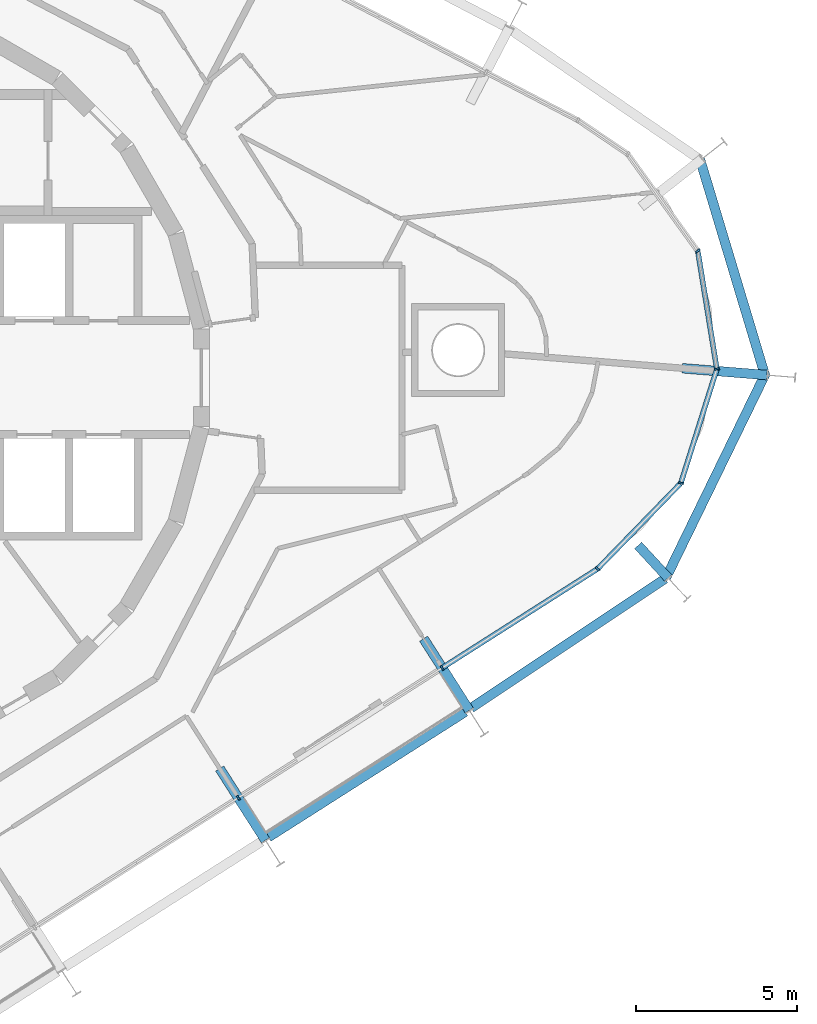
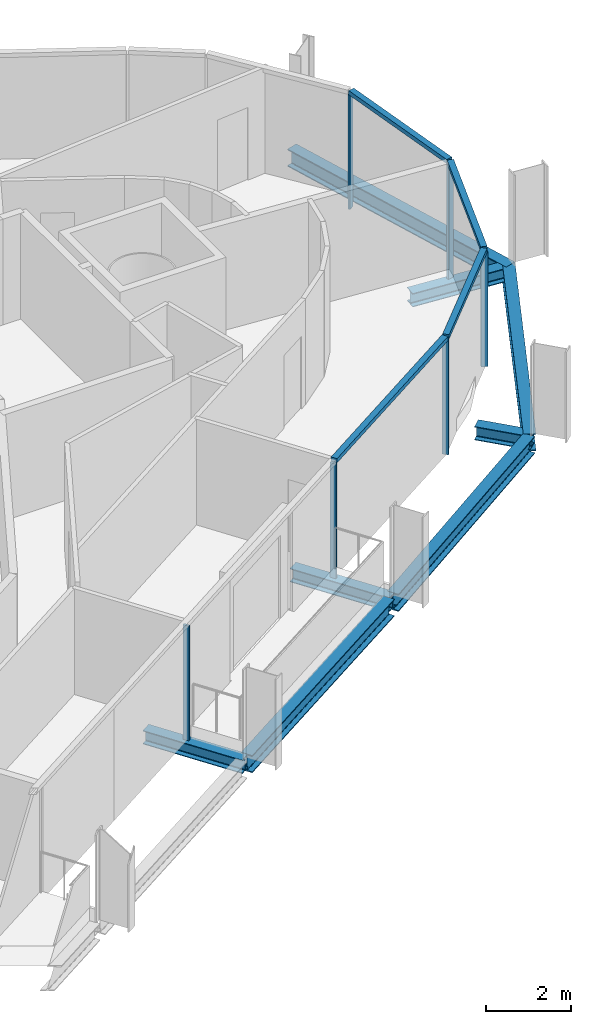
# One storey, part 5 of 18: 10 members, 8 beams, 2 elements without a shape of their own.
"""IFC4 building model written with IfcOpenShell, lengths in metres."""

from ifc_helpers import new_model, si_unit, direction, frame, origin, origin_2d, place, context, subcontext, project, spatial, rectangle, i_section, extrude, material, layer, layer_set, material_profile, profile_set, type_object, element, aggregate, save


model = new_model("IFC4")

# Units and contexts
model_context = context("Model", 3, precision=1e-05, world=origin(), true_north=direction((0.0, 1.0)))
body_context = subcontext(model_context, "Body", "Model", "MODEL_VIEW")
ifc_project = project(units=[si_unit("LENGTHUNIT", "METRE"), si_unit("AREAUNIT", "SQUARE_METRE"), si_unit("VOLUMEUNIT", "CUBIC_METRE"), si_unit("PLANEANGLEUNIT", "RADIAN"), si_unit("MASSUNIT", "GRAM", prefix="KILO")], contexts=[model_context])

# Site, building, storey
site_placement = place(None, origin())
site = spatial("IfcSite", under=ifc_project, at=site_placement, CompositionType="ELEMENT")
building_placement = place(site_placement, origin())
building = spatial("IfcBuilding", under=site, at=building_placement, Name="Spindle Arch Residences", CompositionType="ELEMENT")
storey_placement = place(building_placement, frame((0.0, 0.0, 254.699951171875)))
storey = spatial("IfcBuildingStorey", under=building, at=storey_placement, Name="L65", CompositionType="ELEMENT", Elevation=254.699951171875)

# Curtain wall, members
ifc_material_1 = material(Name="Aluminium bronze unitised frame with tinted glass", Category="aluminium")
ifc_layer_1 = layer(ifc_material_1, 0.159912109375)
ifc_layer_set_1 = layer_set([ifc_layer_1], Name="CW-D corner wall on the fillet arcs")
curtain_wall_type_1 = type_object("IfcCurtainWallType", Name="CW-D corner wall on the fillet arcs", PredefinedType="NOTDEFINED", material=ifc_layer_set_1)
curtain_wall_1_placement = place(storey_placement, origin())
curtain_wall_1 = element("IfcCurtainWall", 1, at=curtain_wall_1_placement, inside=storey, type_object=curtain_wall_type_1, Name="CW-D L65 run 1", PredefinedType="NOTDEFINED")
ifc_material_2 = material(Name="Aluminium bronze anodised mullion", Category="aluminium")
ifc_material_profile_1 = material_profile(ifc_material_2, rectangle(XDim=0.159912109375, YDim=0.06005859375, at=origin_2d()), Name="MU 60x160")
ifc_profile_set_1 = profile_set([ifc_material_profile_1], Name="Aluminium bronze anodised mullion")
member_type_1 = type_object("IfcMemberType", Name="Bronze mullion 60x160", PredefinedType="MULLION", material=ifc_profile_set_1)
member_1_placement = place(storey_placement, frame((19.151611328125, -9.0400390625, -0.3798828125), z_axis=(0.0, 0.0, 1.0), x_axis=(-0.537299608347, 0.843391445813, 0.0)))
member_1 = element("IfcMember", 2, at=member_1_placement, type_object=member_type_1, Name="CW-D mullion 00", PredefinedType="MULLION", context=body_context, shape_type="SweptSolid", body=[
    extrude(rectangle(XDim=0.159912109375, YDim=0.06005859375, at=origin_2d()), origin(), (0.0, 0.0, 1.0), 3.309814453125),
])
member_2_placement = place(storey_placement, frame((23.991455078125, -5.956787109375, -0.3798828125), z_axis=(0.0, 0.0, 1.0), x_axis=(-0.71731607908, 0.696747904692, 0.0)))
member_2 = element("IfcMember", 3, at=member_2_placement, type_object=member_type_1, Name="CW-D mullion 01", PredefinedType="MULLION", context=body_context, shape_type="SweptSolid", body=[
    extrude(rectangle(XDim=0.159912109375, YDim=0.06005859375, at=origin_2d()), origin(), (0.0, 0.0, 1.0), 3.309814453125),
])
member_3_placement = place(storey_placement, frame((26.587890625, -3.283447265625, -0.3798828125), z_axis=(0.0, 0.0, 1.0), x_axis=(-0.953716949352, 0.300705803932, 0.0)))
member_3 = element("IfcMember", 4, at=member_3_placement, type_object=member_type_1, Name="CW-D mullion 02", PredefinedType="MULLION", context=body_context, shape_type="SweptSolid", body=[
    extrude(rectangle(XDim=0.159912109375, YDim=0.06005859375, at=origin_2d()), origin(), (0.0, 0.0, 1.0), 3.309814453125),
])
member_4_placement = place(storey_placement, frame((27.708740234375, 0.270751953125, -0.3798828125), z_axis=(0.0, 0.0, 1.0), x_axis=(-0.987229114298, -0.15930686075, 0.0)))
member_4 = element("IfcMember", 5, at=member_4_placement, type_object=member_type_1, Name="CW-D mullion 03", PredefinedType="MULLION", context=body_context, shape_type="SweptSolid", body=[
    extrude(rectangle(XDim=0.159912109375, YDim=0.06005859375, at=origin_2d()), origin(), (0.0, 0.0, 1.0), 3.309814453125),
])
member_5_placement = place(storey_placement, frame((27.114990234375, 3.949951171875, -0.3798828125), z_axis=(0.0, 0.0, 1.0), x_axis=(-0.810723368962, -0.585429431289, 0.0)))
member_5 = element("IfcMember", 6, at=member_5_placement, type_object=member_type_1, Name="CW-D mullion 04", PredefinedType="MULLION", context=body_context, shape_type="SweptSolid", body=[
    extrude(rectangle(XDim=0.159912109375, YDim=0.06005859375, at=origin_2d()), origin(), (0.0, 0.0, 1.0), 3.309814453125),
])

# Curtain wall, member
ifc_material_3 = material(Name="Aluminium bronze unitised frame with tinted glass", Category="aluminium")
ifc_layer_2 = layer(ifc_material_3, 0.159912109375)
ifc_layer_set_2 = layer_set([ifc_layer_2], Name="CW-C typical residential unitised wall")
curtain_wall_type_2 = type_object("IfcCurtainWallType", Name="CW-C typical residential unitised wall", PredefinedType="NOTDEFINED", material=ifc_layer_set_2)
curtain_wall_2_placement = place(storey_placement, origin())
curtain_wall_2 = element("IfcCurtainWall", 7, at=curtain_wall_2_placement, inside=storey, type_object=curtain_wall_type_2, Name="CW-C L65 run 6", PredefinedType="NOTDEFINED")
member_6_placement = place(storey_placement, frame((12.80078125, -13.0859375, -0.3798828125), z_axis=(0.0, 0.0, 1.0), x_axis=(-0.537299608347, 0.843391445813, 0.0)))
member_6 = element("IfcMember", 8, at=member_6_placement, type_object=member_type_1, Name="CW-C mullion 00", PredefinedType="MULLION", context=body_context, shape_type="SweptSolid", body=[
    extrude(rectangle(XDim=0.159912109375, YDim=0.06005859375, at=origin_2d()), origin(), (0.0, 0.0, 1.0), 3.309814453125),
])
aggregate(curtain_wall_2, [member_6])

# Member
ifc_material_4 = material(Name="Aluminium bronze anodised transom", Category="aluminium")
ifc_material_profile_2 = material_profile(ifc_material_4, rectangle(XDim=0.159912109375, YDim=0.1201171875, at=origin_2d()), Name="TR 120x160")
ifc_profile_set_2 = profile_set([ifc_material_profile_2], Name="Aluminium bronze anodised transom")
member_type_2 = type_object("IfcMemberType", Name="Bronze transom 120x160", PredefinedType="USERDEFINED", material=ifc_profile_set_2)
member_7_placement = place(storey_placement, frame((19.177001953125, -9.02392578125, 2.989990234375), z_axis=(0.843386969226, 0.537306635115, 0.0), x_axis=(-0.537306635115, 0.843386969226, 0.0)))
member_7 = element("IfcMember", 9, at=member_7_placement, type_object=member_type_2, Name="CW-D transom 00", ObjectType="TRANSOM", PredefinedType="USERDEFINED", context=body_context, shape_type="SweptSolid", body=[
    extrude(rectangle(XDim=0.159912109375, YDim=0.1201171875, at=origin_2d()), origin(), (0.0, 0.0, 1.0), 5.678466796875),
])

member_8_placement = place(storey_placement, frame((24.01220703125, -5.93505859375, 2.989990234375), z_axis=(0.696778833098, 0.717286036213, 0.0), x_axis=(-0.717286036213, 0.696778833098, 0.0)))
member_8 = element("IfcMember", 10, at=member_8_placement, type_object=member_type_2, Name="CW-D transom 01", ObjectType="TRANSOM", PredefinedType="USERDEFINED", context=body_context, shape_type="SweptSolid", body=[
    extrude(rectangle(XDim=0.159912109375, YDim=0.1201171875, at=origin_2d()), origin(), (0.0, 0.0, 1.0), 3.666748046875),
])

member_9_placement = place(storey_placement, frame((26.596923828125, -3.2548828125, 2.989990234375), z_axis=(0.300745778047, 0.953704344641, 0.0), x_axis=(-0.953704344641, 0.300745778047, 0.0)))
member_9 = element("IfcMember", 11, at=member_9_placement, type_object=member_type_2, Name="CW-D transom 02", ObjectType="TRANSOM", PredefinedType="USERDEFINED", context=body_context, shape_type="SweptSolid", body=[
    extrude(rectangle(XDim=0.159912109375, YDim=0.1201171875, at=origin_2d()), origin(), (0.0, 0.0, 1.0), 3.666748046875),
])

member_10_placement = place(storey_placement, frame((27.703857421875, 0.300537109375, 2.989990234375), z_axis=(-0.15933292013, 0.987224908804, 0.0), x_axis=(-0.987224908804, -0.15933292013, 0.0)))
member_10 = element("IfcMember", 12, at=member_10_placement, type_object=member_type_2, Name="CW-D transom 03", ObjectType="TRANSOM", PredefinedType="USERDEFINED", context=body_context, shape_type="SweptSolid", body=[
    extrude(rectangle(XDim=0.159912109375, YDim=0.1201171875, at=origin_2d()), origin(), (0.0, 0.0, 1.0), 3.666748046875),
])

aggregate(curtain_wall_1, [member_1, member_7, member_2, member_8, member_3, member_9, member_4, member_10, member_5])

# Beams
ifc_material_5 = material(Name="Steel S460ML, intumescent coating R 120", Category="steel")
ifc_material_profile_3 = material_profile(ifc_material_5, i_section(OverallWidth=0.300048828125, OverallDepth=0.5, WebThickness=0.014404296875, FlangeThickness=0.028076171875, FilletRadius=0.027099609375, at=origin_2d()), Name="HEB 500")
ifc_profile_set_3 = profile_set([ifc_material_profile_3], Name="Steel S460ML, intumescent coating R 120")
beam_type_1 = type_object("IfcBeamType", Name="Exoskeleton edge beam HEB 500", PredefinedType="BEAM", material=ifc_profile_set_3)
beam_1_placement = place(storey_placement, frame((13.73779296875, -14.314697265625, -0.6298828125), z_axis=(0.843406961456, 0.53727525289, 0.0), x_axis=(-0.53727525289, 0.843406961456, 0.0)))
element("IfcBeam", 13, at=beam_1_placement, inside=storey, type_object=beam_type_1, Name="Exoskeleton edge beam 1", PredefinedType="BEAM", context=body_context, shape_type="SweptSolid", body=[
    extrude(i_section(OverallWidth=0.300048828125, OverallDepth=0.5, WebThickness=0.014404296875, FlangeThickness=0.028076171875, FilletRadius=0.027099609375, at=origin_2d()), origin(), (0.0, 0.0, 1.0), 7.27001953125),
])
beam_2_placement = place(storey_placement, frame((20.05224609375, -10.291015625, -0.6298828125), z_axis=(0.83190027786, 0.554925155041, 0.0), x_axis=(-0.554925155041, 0.83190027786, 0.0)))
element("IfcBeam", 14, at=beam_2_placement, inside=storey, type_object=beam_type_1, Name="Exoskeleton edge beam 2", PredefinedType="BEAM", context=body_context, shape_type="SweptSolid", body=[
    extrude(i_section(OverallWidth=0.300048828125, OverallDepth=0.5, WebThickness=0.014404296875, FlangeThickness=0.028076171875, FilletRadius=0.027099609375, at=origin_2d()), origin(), (0.0, 0.0, 1.0), 7.26220703125),
])
for number, where, z_axis, x_axis, name in (
    (15, (26.1201171875, -6.241943359375, -0.6298828125), (0.43802573961, 0.898962430494, 0.0), (-0.898962430494, 0.43802573961, 0.0), "Exoskeleton edge beam 3"),
    (16, (29.22021484375, 0.03076171875, -0.6298828125), (-0.288038985398, 0.957618683449, 0.0), (-0.957618683449, -0.288038985398, 0.0), "Exoskeleton edge beam 4"),
):
    element("IfcBeam", number, at=place(storey_placement, frame(where, z_axis=z_axis, x_axis=x_axis)), inside=storey, type_object=beam_type_1, Name=name, PredefinedType="BEAM", context=body_context, shape_type="SweptSolid", body=[
        extrude(i_section(OverallWidth=0.300048828125, OverallDepth=0.5, WebThickness=0.014404296875, FlangeThickness=0.028076171875, FilletRadius=0.027099609375, at=origin_2d()), origin(), (0.0, 0.0, 1.0), 7.096923828125),
    ])
ifc_material_6 = material(Name="Steel S460ML, intumescent coating R 120", Category="steel")
ifc_material_profile_4 = material_profile(ifc_material_6, i_section(OverallWidth=0.300048828125, OverallDepth=0.389892578125, WebThickness=0.010986328125, FlangeThickness=0.01904296875, FilletRadius=0.027099609375, at=origin_2d()), Name="HEA 400")
ifc_profile_set_4 = profile_set([ifc_material_profile_4], Name="Steel S460ML, intumescent coating R 120")
beam_type_2 = type_object("IfcBeamType", Name="Floor outrigger HEA 400", PredefinedType="BEAM", material=ifc_profile_set_4)
for number, where, z_axis, x_axis, name in (
    (17, (13.644287109375, -14.409912109375, -0.574951171875), (-0.537316570745, 0.843380639334, 0.0), (-0.843380639334, -0.537316570745, 0.0), "Floor outrigger 1"),
    (18, (19.9951171875, -10.364013671875, -0.574951171875), (-0.537316570745, 0.843380639334, 0.0), (-0.843380639334, -0.537316570745, 0.0), "Floor outrigger 2"),
):
    element("IfcBeam", number, at=place(storey_placement, frame(where, z_axis=z_axis, x_axis=x_axis)), inside=storey, type_object=beam_type_2, Name=name, PredefinedType="BEAM", context=body_context, shape_type="SweptSolid", body=[
        extrude(i_section(OverallWidth=0.300048828125, OverallDepth=0.389892578125, WebThickness=0.010986328125, FlangeThickness=0.01904296875, FilletRadius=0.027099609375, at=origin_2d()), origin(), (0.0, 0.0, 1.0), 2.64990234375),
    ])
beam_3_placement = place(storey_placement, frame((26.189697265625, -6.23828125, -0.574951171875), z_axis=(-0.677647212058, 0.735387147011, 0.0), x_axis=(-0.735387147011, -0.677647212058, 0.0)))
element("IfcBeam", 19, at=beam_3_placement, inside=storey, type_object=beam_type_2, Name="Floor outrigger 3", PredefinedType="BEAM", context=body_context, shape_type="SweptSolid", body=[
    extrude(i_section(OverallWidth=0.300048828125, OverallDepth=0.389892578125, WebThickness=0.010986328125, FlangeThickness=0.01904296875, FilletRadius=0.027099609375, at=origin_2d()), origin(), (0.0, 0.0, 1.0), 1.37841796875),
])
beam_4_placement = place(storey_placement, frame((29.268798828125, 0.080810546875, -0.574951171875), z_axis=(-0.996753470089, 0.080514097307, 0.0), x_axis=(-0.080514097307, -0.996753470089, 0.0)))
element("IfcBeam", 20, at=beam_4_placement, inside=storey, type_object=beam_type_2, Name="Floor outrigger 4", PredefinedType="BEAM", context=body_context, shape_type="SweptSolid", body=[
    extrude(i_section(OverallWidth=0.300048828125, OverallDepth=0.389892578125, WebThickness=0.010986328125, FlangeThickness=0.01904296875, FilletRadius=0.027099609375, at=origin_2d()), origin(), (0.0, 0.0, 1.0), 2.650146484375),
])

save(model, "model.ifc")
